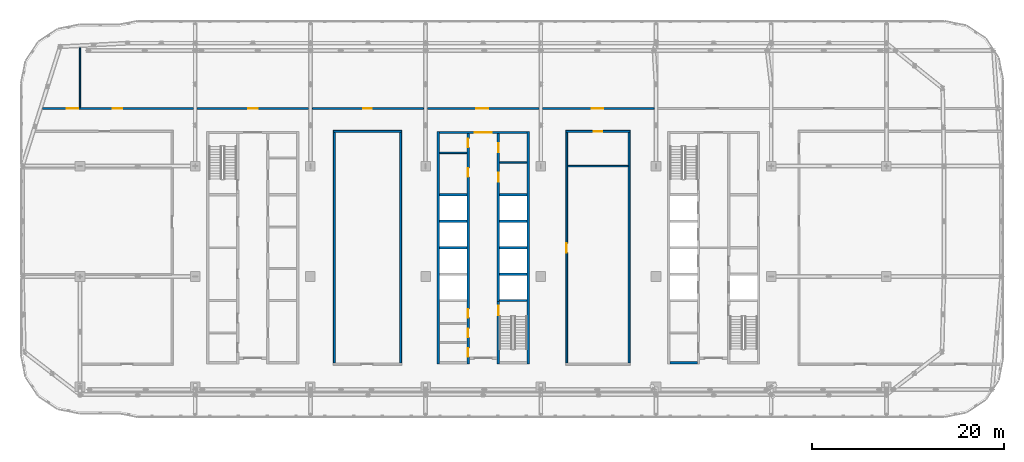
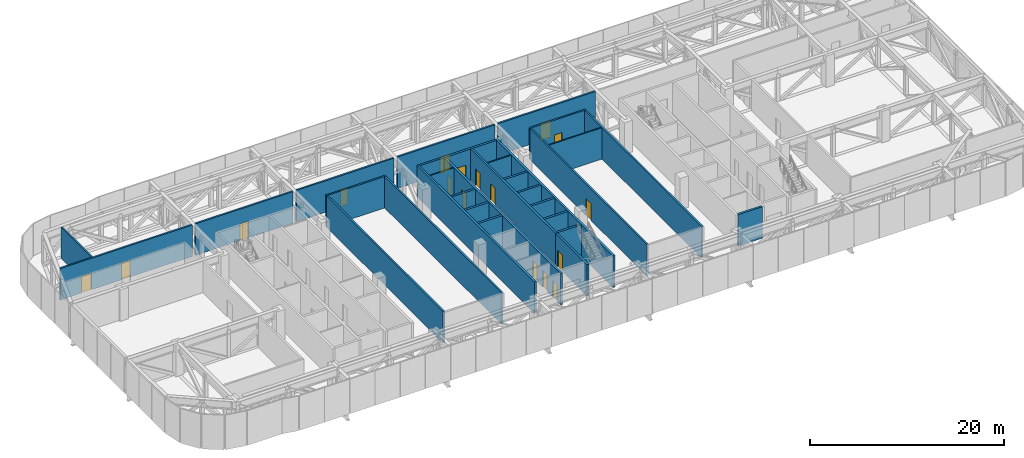
# One storey, part 14 of 29: 30 walls, 17 doors, 17 openings.
"""IFC4 building model written with IfcOpenShell, lengths in metres."""

from ifc_helpers import new_model, si_unit, direction, frame, frame_2d, origin, place, context, subcontext, project, spatial, rectangle, extrude, material, layer, layer_set, type_object, element, fill, save


model = new_model("IFC4")

# Units and contexts
model_context = context("Model", 3, precision=1e-05, world=origin(), true_north=direction((0.0, 1.0)))
body_context = subcontext(model_context, "Body", "Model", "MODEL_VIEW")
ifc_project = project(units=[si_unit("LENGTHUNIT", "METRE"), si_unit("AREAUNIT", "SQUARE_METRE"), si_unit("VOLUMEUNIT", "CUBIC_METRE"), si_unit("PLANEANGLEUNIT", "RADIAN"), si_unit("MASSUNIT", "GRAM", prefix="KILO")], contexts=[model_context])

# Site, building, storey
site_placement = place(None, origin())
site = spatial("IfcSite", under=ifc_project, at=site_placement, CompositionType="ELEMENT")
building_placement = place(site_placement, origin())
building = spatial("IfcBuilding", under=site, at=building_placement, Name="Mahtab Terrace Research Tower", CompositionType="ELEMENT")
storey_placement = place(building_placement, frame((0.0, 0.0, 259.0)))
storey = spatial("IfcBuildingStorey", under=building, at=storey_placement, Name="L63", CompositionType="ELEMENT", Elevation=259.0)

# Walls
ifc_material_1 = material(Name="Gypsum board partition")
ifc_layer_1 = layer(ifc_material_1, 0.14990234375)
ifc_layer_set_1 = layer_set([ifc_layer_1], Name="Core partition 150")
wall_type_1 = type_object("IfcWallType", Name="Core partition 150", PredefinedType="PARTITIONING", material=ifc_layer_set_1)
for number, where, z_axis, x_axis, name in (
    (1, (-4.550048828125, 12.875, 0.0), (0.0, 0.0, 1.0), (1.0, 0.0, 0.0), "Core wall B pWN988"),
    (2, (1.699951171875, 11.875, 0.0), (0.0, 0.0, 1.0), (1.0, 0.0, 0.0), "Core wall B pEN888"),
):
    element("IfcWall", number, at=place(storey_placement, frame(where, z_axis=z_axis, x_axis=x_axis)), inside=storey, type_object=wall_type_1, Name=name, PredefinedType="PARTITIONING", context=body_context, shape_type="SweptSolid", body=[
        extrude(rectangle(XDim=2.85009765625, YDim=0.14990234375, at=frame_2d((1.425048828125, 0.0))), origin(), (0.0, 0.0, 1.0), 3.9599609375),
    ])
ifc_material_2 = material(Name="Concrete C70/85", Category="concrete")
ifc_layer_2 = layer(ifc_material_2, 0.25)
ifc_layer_set_2 = layer_set([ifc_layer_2], Name="Core wall 250")
wall_type_2 = type_object("IfcWallType", Name="Core wall 250", PredefinedType="SOLIDWALL", material=ifc_layer_set_2)
for number, where, z_axis, x_axis, name in (
    (3, (-4.675048828125, 15.125, 0.0), (0.0, 0.0, 1.0), (0.0, -1.0, 0.0), "Core wall B outerW"),
    (4, (4.675048828125, -9.125, 0.0), (0.0, 0.0, 1.0), (0.0, 1.0, 0.0), "Core wall B outerE"),
):
    element("IfcWall", number, at=place(storey_placement, frame(where, z_axis=z_axis, x_axis=x_axis)), inside=storey, type_object=wall_type_2, Name=name, PredefinedType="SOLIDWALL", context=body_context, shape_type="SweptSolid", body=[
        extrude(rectangle(XDim=24.25, YDim=0.25, at=frame_2d((12.125, 0.0))), origin(), (0.0, 0.0, 1.0), 3.9599609375),
    ])

# Wall, opening, door
wall_1_placement = place(storey_placement, frame((-4.550048828125, 15.0, 0.0), z_axis=(0.0, 0.0, 1.0), x_axis=(1.0, 0.0, 0.0)))
wall_1 = element("IfcWall", 5, at=wall_1_placement, inside=storey, type_object=wall_type_2, Name="Core wall B endN", PredefinedType="SOLIDWALL", context=body_context, shape_type="SweptSolid", body=[
    extrude(rectangle(XDim=9.10009765625, YDim=0.25, at=frame_2d((4.550048828125, 0.0))), origin(), (0.0, 0.0, 1.0), 3.9599609375),
])
opening_1_placement = place(wall_1_placement, frame((3.64990234375, 0.0, 0.0)))
opening_1 = element("IfcOpeningElement", 6, at=opening_1_placement, cuts=wall_1, Name="Opening B-N1", PredefinedType="OPENING", context=body_context, shape_type="SweptSolid", body=[
    extrude(rectangle(XDim=1.800048828125, YDim=2.10009765625, at=frame_2d((0.89990234375, 1.050048828125))), frame((0.0, 0.135009765625, 0.0), z_axis=(0.0, -1.0, 0.0), x_axis=(1.0, 0.0, 0.0)), (0.0, 0.0, 1.0), 0.27001953125),
])
ifc_material_3 = material(Name="Steel fire door", Category="steel")
door_type_1 = type_object("IfcDoorType", Name="Lobby double door 1800x2100 1 HR", OperationType="DOUBLE_DOOR_SINGLE_SWING", PredefinedType="DOOR", material=ifc_material_3)
door_1_placement = place(opening_1_placement, origin())
door_1 = element("IfcDoor", 7, at=door_1_placement, inside=storey, type_object=door_type_1, Name="Core entrance door B N", OperationType="DOUBLE_DOOR_SINGLE_SWING", OverallHeight=2.10009765625, OverallWidth=1.800048828125, PredefinedType="DOOR", context=body_context, shape_type="SweptSolid", body=[
    extrude(rectangle(XDim=1.800048828125, YDim=2.10009765625, at=frame_2d((0.89990234375, 1.050048828125))), frame((0.0, 0.02490234375, 0.0), z_axis=(0.0, -1.0, 0.0), x_axis=(1.0, 0.0, 0.0)), (0.0, 0.0, 1.0), 0.050048828125),
])
fill(opening_1, door_1)

# Wall, openings, doors
wall_2_placement = place(storey_placement, frame((-1.574951171875, -9.125, 0.0), z_axis=(0.0, 0.0, 1.0), x_axis=(0.0, 1.0, 0.0)))
wall_2 = element("IfcWall", 8, at=wall_2_placement, inside=storey, type_object=wall_type_2, Name="Core wall B innerWSLN", PredefinedType="SOLIDWALL", context=body_context, shape_type="SweptSolid", body=[
    extrude(rectangle(XDim=24.0, YDim=0.25, at=frame_2d((12.0, 0.0))), origin(), (0.0, 0.0, 1.0), 3.9599609375),
])
opening_2_placement = place(wall_2_placement, frame((0.762451171875, 0.0, 0.0)))
opening_2 = element("IfcOpeningElement", 9, at=opening_2_placement, cuts=wall_2, Name="Opening B-R1", PredefinedType="OPENING", context=body_context, shape_type="SweptSolid", body=[
    extrude(rectangle(XDim=0.89990234375, YDim=2.10009765625, at=frame_2d((0.449951171875, 1.050048828125))), frame((0.0, 0.135009765625, 0.0), z_axis=(0.0, -1.0, 0.0), x_axis=(1.0, 0.0, 0.0)), (0.0, 0.0, 1.0), 0.27001953125),
])
opening_3_placement = place(wall_2_placement, frame((2.800048828125, 0.0, 0.0)))
opening_3 = element("IfcOpeningElement", 10, at=opening_3_placement, cuts=wall_2, Name="Opening B-R2", PredefinedType="OPENING", context=body_context, shape_type="SweptSolid", body=[
    extrude(rectangle(XDim=0.89990234375, YDim=2.10009765625, at=frame_2d((0.449951171875, 1.050048828125))), frame((0.0, 0.135009765625, 0.0), z_axis=(0.0, -1.0, 0.0), x_axis=(1.0, 0.0, 0.0)), (0.0, 0.0, 1.0), 0.27001953125),
])
opening_4_placement = place(wall_2_placement, frame((4.83740234375, 0.0, 0.0)))
opening_4 = element("IfcOpeningElement", 11, at=opening_4_placement, cuts=wall_2, Name="Opening B-R3", PredefinedType="OPENING", context=body_context, shape_type="SweptSolid", body=[
    extrude(rectangle(XDim=0.89990234375, YDim=2.10009765625, at=frame_2d((0.449951171875, 1.050048828125))), frame((0.0, 0.135009765625, 0.0), z_axis=(0.0, -1.0, 0.0), x_axis=(1.0, 0.0, 0.0)), (0.0, 0.0, 1.0), 0.27001953125),
])
opening_5_placement = place(wall_2_placement, frame((19.512451171875, 0.0, 0.0)))
opening_5 = element("IfcOpeningElement", 12, at=opening_5_placement, cuts=wall_2, Name="Opening B-R4", PredefinedType="OPENING", context=body_context, shape_type="SweptSolid", body=[
    extrude(rectangle(XDim=0.89990234375, YDim=2.10009765625, at=frame_2d((0.449951171875, 1.050048828125))), frame((0.0, 0.135009765625, 0.0), z_axis=(0.0, -1.0, 0.0), x_axis=(1.0, 0.0, 0.0)), (0.0, 0.0, 1.0), 0.27001953125),
])
opening_6_placement = place(wall_2_placement, frame((22.58740234375, 0.0, 0.0)))
opening_6 = element("IfcOpeningElement", 13, at=opening_6_placement, cuts=wall_2, Name="Opening B-R5", PredefinedType="OPENING", context=body_context, shape_type="SweptSolid", body=[
    extrude(rectangle(XDim=0.89990234375, YDim=2.10009765625, at=frame_2d((0.449951171875, 1.050048828125))), frame((0.0, 0.135009765625, 0.0), z_axis=(0.0, -1.0, 0.0), x_axis=(1.0, 0.0, 0.0)), (0.0, 0.0, 1.0), 0.27001953125),
])
door_type_2 = type_object("IfcDoorType", Name="Room door 900x2100 1 HR", OperationType="NOTDEFINED", PredefinedType="DOOR", material=ifc_material_3)
door_2_placement = place(opening_2_placement, origin())
door_2 = element("IfcDoor", 14, at=door_2_placement, inside=storey, type_object=door_type_2, Name="Comms riser room door", OperationType="SINGLE_SWING_LEFT", OverallHeight=2.10009765625, OverallWidth=0.89990234375, PredefinedType="DOOR", context=body_context, shape_type="SweptSolid", body=[
    extrude(rectangle(XDim=0.89990234375, YDim=2.10009765625, at=frame_2d((0.449951171875, 1.050048828125))), frame((0.0, 0.02490234375, 0.0), z_axis=(0.0, -1.0, 0.0), x_axis=(1.0, 0.0, 0.0)), (0.0, 0.0, 1.0), 0.050048828125),
])
fill(opening_2, door_2)
door_3_placement = place(opening_3_placement, origin())
door_3 = element("IfcDoor", 15, at=door_3_placement, inside=storey, type_object=door_type_2, Name="Pantry door", OperationType="SINGLE_SWING_RIGHT", OverallHeight=2.10009765625, OverallWidth=0.89990234375, PredefinedType="DOOR", context=body_context, shape_type="SweptSolid", body=[
    extrude(rectangle(XDim=0.89990234375, YDim=2.10009765625, at=frame_2d((0.449951171875, 1.050048828125))), frame((0.0, 0.02490234375, 0.0), z_axis=(0.0, -1.0, 0.0), x_axis=(1.0, 0.0, 0.0)), (0.0, 0.0, 1.0), 0.050048828125),
])
fill(opening_3, door_3)
door_4_placement = place(opening_4_placement, origin())
door_4 = element("IfcDoor", 16, at=door_4_placement, inside=storey, type_object=door_type_2, Name="Cleaners store door", OperationType="SINGLE_SWING_LEFT", OverallHeight=2.10009765625, OverallWidth=0.89990234375, PredefinedType="DOOR", context=body_context, shape_type="SweptSolid", body=[
    extrude(rectangle(XDim=0.89990234375, YDim=2.10009765625, at=frame_2d((0.449951171875, 1.050048828125))), frame((0.0, 0.02490234375, 0.0), z_axis=(0.0, -1.0, 0.0), x_axis=(1.0, 0.0, 0.0)), (0.0, 0.0, 1.0), 0.050048828125),
])
fill(opening_4, door_4)
door_5_placement = place(opening_5_placement, origin())
door_5 = element("IfcDoor", 17, at=door_5_placement, inside=storey, type_object=door_type_2, Name="IT equipment room door", OperationType="SINGLE_SWING_RIGHT", OverallHeight=2.10009765625, OverallWidth=0.89990234375, PredefinedType="DOOR", context=body_context, shape_type="SweptSolid", body=[
    extrude(rectangle(XDim=0.89990234375, YDim=2.10009765625, at=frame_2d((0.449951171875, 1.050048828125))), frame((0.0, 0.02490234375, 0.0), z_axis=(0.0, -1.0, 0.0), x_axis=(1.0, 0.0, 0.0)), (0.0, 0.0, 1.0), 0.050048828125),
])
fill(opening_5, door_5)
door_6_placement = place(opening_6_placement, origin())
door_6 = element("IfcDoor", 18, at=door_6_placement, inside=storey, type_object=door_type_2, Name="Electrical riser room door", OperationType="SINGLE_SWING_LEFT", OverallHeight=2.10009765625, OverallWidth=0.89990234375, PredefinedType="DOOR", context=body_context, shape_type="SweptSolid", body=[
    extrude(rectangle(XDim=0.89990234375, YDim=2.10009765625, at=frame_2d((0.449951171875, 1.050048828125))), frame((0.0, 0.02490234375, 0.0), z_axis=(0.0, -1.0, 0.0), x_axis=(1.0, 0.0, 0.0)), (0.0, 0.0, 1.0), 0.050048828125),
])
fill(opening_6, door_6)

# Wall, opening, door
wall_3_placement = place(storey_placement, frame((1.574951171875, -9.125, 0.0), z_axis=(0.0, 0.0, 1.0), x_axis=(0.0, 1.0, 0.0)))
wall_3 = element("IfcWall", 19, at=wall_3_placement, inside=storey, type_object=wall_type_2, Name="Core wall B innerES", PredefinedType="SOLIDWALL", context=body_context, shape_type="SweptSolid", body=[
    extrude(rectangle(XDim=6.5, YDim=0.25, at=frame_2d((3.25, 0.0))), origin(), (0.0, 0.0, 1.0), 3.9599609375),
])
opening_7_placement = place(wall_3_placement, frame((5.10009765625, 0.0, 0.0)))
opening_7 = element("IfcOpeningElement", 20, at=opening_7_placement, cuts=wall_3, Name="Opening B-ST2", PredefinedType="OPENING", context=body_context, shape_type="SweptSolid", body=[
    extrude(rectangle(XDim=1.0, YDim=2.10009765625, at=frame_2d((0.5, 1.050048828125))), frame((0.0, 0.135009765625, 0.0), z_axis=(0.0, -1.0, 0.0), x_axis=(1.0, 0.0, 0.0)), (0.0, 0.0, 1.0), 0.27001953125),
])
door_type_3 = type_object("IfcDoorType", Name="Stair door 1000x2100 1.5 HR", OperationType="NOTDEFINED", PredefinedType="DOOR", material=ifc_material_3)
door_7_placement = place(opening_7_placement, origin())
door_7 = element("IfcDoor", 21, at=door_7_placement, inside=storey, type_object=door_type_3, Name="Stair door ST2 L63", OperationType="SINGLE_SWING_RIGHT", OverallHeight=2.10009765625, OverallWidth=1.0, PredefinedType="DOOR", context=body_context, shape_type="SweptSolid", body=[
    extrude(rectangle(XDim=1.0, YDim=2.10009765625, at=frame_2d((0.5, 1.050048828125))), frame((0.0, 0.02490234375, 0.0), z_axis=(0.0, -1.0, 0.0), x_axis=(1.0, 0.0, 0.0)), (0.0, 0.0, 1.0), 0.050048828125),
])
fill(opening_7, door_7)

# Wall, openings, doors
wall_4_placement = place(storey_placement, frame((1.574951171875, 14.875, 0.0), z_axis=(0.0, 0.0, 1.0), x_axis=(0.0, -1.0, 0.0)))
wall_4 = element("IfcWall", 22, at=wall_4_placement, inside=storey, type_object=wall_type_2, Name="Core wall B innerELN", PredefinedType="SOLIDWALL", context=body_context, shape_type="SweptSolid", body=[
    extrude(rectangle(XDim=17.5, YDim=0.25, at=frame_2d((8.75, 0.0))), origin(), (0.0, 0.0, 1.0), 3.9599609375),
])
opening_8_placement = place(wall_4_placement, frame((4.08740234375, 0.0, 0.0)))
opening_8 = element("IfcOpeningElement", 23, at=opening_8_placement, cuts=wall_4, Name="Opening B-R6", PredefinedType="OPENING", context=body_context, shape_type="SweptSolid", body=[
    extrude(rectangle(XDim=0.89990234375, YDim=2.10009765625, at=frame_2d((0.449951171875, 1.050048828125))), frame((0.0, 0.135009765625, 0.0), z_axis=(0.0, -1.0, 0.0), x_axis=(1.0, 0.0, 0.0)), (0.0, 0.0, 1.0), 0.27001953125),
])
opening_9_placement = place(wall_4_placement, frame((1.012451171875, 0.0, 0.0)))
opening_9 = element("IfcOpeningElement", 24, at=opening_9_placement, cuts=wall_4, Name="Opening B-R7", PredefinedType="OPENING", context=body_context, shape_type="SweptSolid", body=[
    extrude(rectangle(XDim=0.89990234375, YDim=2.10009765625, at=frame_2d((0.449951171875, 1.050048828125))), frame((0.0, 0.135009765625, 0.0), z_axis=(0.0, -1.0, 0.0), x_axis=(1.0, 0.0, 0.0)), (0.0, 0.0, 1.0), 0.27001953125),
])
door_8_placement = place(opening_8_placement, origin())
door_8 = element("IfcDoor", 25, at=door_8_placement, inside=storey, type_object=door_type_2, Name="Staff WC door", OperationType="SINGLE_SWING_RIGHT", OverallHeight=2.10009765625, OverallWidth=0.89990234375, PredefinedType="DOOR", context=body_context, shape_type="SweptSolid", body=[
    extrude(rectangle(XDim=0.89990234375, YDim=2.10009765625, at=frame_2d((0.449951171875, 1.050048828125))), frame((0.0, 0.02490234375, 0.0), z_axis=(0.0, -1.0, 0.0), x_axis=(1.0, 0.0, 0.0)), (0.0, 0.0, 1.0), 0.050048828125),
])
fill(opening_8, door_8)
door_9_placement = place(opening_9_placement, origin())
door_9 = element("IfcDoor", 26, at=door_9_placement, inside=storey, type_object=door_type_2, Name="Accessible WC door", OperationType="SINGLE_SWING_LEFT", OverallHeight=2.10009765625, OverallWidth=0.89990234375, PredefinedType="DOOR", context=body_context, shape_type="SweptSolid", body=[
    extrude(rectangle(XDim=0.89990234375, YDim=2.10009765625, at=frame_2d((0.449951171875, 1.050048828125))), frame((0.0, 0.02490234375, 0.0), z_axis=(0.0, -1.0, 0.0), x_axis=(1.0, 0.0, 0.0)), (0.0, 0.0, 1.0), 0.050048828125),
])
fill(opening_9, door_9)

# Walls
for number, where, z_axis, x_axis, name in (
    (27, (-4.550048828125, 3.0, 0.0), (0.0, 0.0, 1.0), (1.0, 0.0, 0.0), "Core wall B divW2"),
    (28, (-4.550048828125, 5.75, 0.0), (0.0, 0.0, 1.0), (1.0, 0.0, 0.0), "Core wall B divW3"),
    (29, (-4.550048828125, 8.5, 0.0), (0.0, 0.0, 1.0), (1.0, 0.0, 0.0), "Core wall B divW4"),
    (30, (1.699951171875, -2.5, 0.0), (0.0, 0.0, 1.0), (1.0, 0.0, 0.0), "Core wall B divE0"),
    (31, (1.699951171875, 0.25, 0.0), (0.0, 0.0, 1.0), (1.0, 0.0, 0.0), "Core wall B divE1"),
    (32, (1.699951171875, 3.0, 0.0), (0.0, 0.0, 1.0), (1.0, 0.0, 0.0), "Core wall B divE2"),
    (33, (1.699951171875, 5.75, 0.0), (0.0, 0.0, 1.0), (1.0, 0.0, 0.0), "Core wall B divE3"),
    (34, (1.699951171875, 8.5, 0.0), (0.0, 0.0, 1.0), (1.0, 0.0, 0.0), "Core wall B divE4"),
    (35, (22.300048828125, -9.0, 0.0), (0.0, 0.0, 1.0), (-1.0, 0.0, 0.0), "Core wall C endSW"),
):
    element("IfcWall", number, at=place(storey_placement, frame(where, z_axis=z_axis, x_axis=x_axis)), inside=storey, type_object=wall_type_2, Name=name, PredefinedType="SOLIDWALL", context=body_context, shape_type="SweptSolid", body=[
        extrude(rectangle(XDim=2.85009765625, YDim=0.25, at=frame_2d((1.425048828125, 0.0))), origin(), (0.0, 0.0, 1.0), 3.9599609375),
    ])
ifc_material_4 = material(Name="Gypsum board corridor wall on steel studs", Category="steel")
ifc_layer_3 = layer(ifc_material_4, 0.199951171875)
ifc_layer_set_3 = layer_set([ifc_layer_3], Name="WALL CORRIDOR 200")
wall_type_3 = type_object("IfcWallType", Name="WALL CORRIDOR 200", PredefinedType="PARTITIONING", material=ifc_layer_set_3)
wall_5_placement = place(storey_placement, frame((-15.60009765625, 15.125, 0.0), z_axis=(0.0, 0.0, 1.0), x_axis=(1.0, 0.0, 0.0)))
element("IfcWall", 36, at=wall_5_placement, inside=storey, type_object=wall_type_3, Name="L63-W012", PredefinedType="PARTITIONING", context=body_context, shape_type="SweptSolid", body=[
    extrude(rectangle(XDim=7.10009765625, YDim=0.199951171875, at=frame_2d((3.550048828125, 0.0))), origin(), (0.0, 0.0, 1.0), 3.9599609375),
])

# Wall, opening, door
wall_6_placement = place(storey_placement, frame((8.60009765625, 15.125, 0.0), z_axis=(0.0, 0.0, 1.0), x_axis=(1.0, 0.0, 0.0)))
wall_6 = element("IfcWall", 37, at=wall_6_placement, inside=storey, type_object=wall_type_3, Name="L63-W013", PredefinedType="PARTITIONING", context=body_context, shape_type="SweptSolid", body=[
    extrude(rectangle(XDim=6.699951171875, YDim=0.199951171875, at=frame_2d((3.35009765625, 0.0))), origin(), (0.0, 0.0, 1.0), 3.9599609375),
])
opening_10_placement = place(wall_6_placement, frame((2.89990234375, 0.0, 0.0)))
opening_10 = element("IfcOpeningElement", 38, at=opening_10_placement, cuts=wall_6, Name="Opening L63-109", PredefinedType="OPENING", context=body_context, shape_type="SweptSolid", body=[
    extrude(rectangle(XDim=0.89990234375, YDim=2.10009765625, at=frame_2d((0.449951171875, 1.050048828125))), frame((0.0, 0.10986328125, 0.0), z_axis=(0.0, -1.0, 0.0), x_axis=(1.0, 0.0, 0.0)), (0.0, 0.0, 1.0), 0.219970703125),
])
ifc_material_5 = material(Name="Timber door leaf in steel frame", Category="steel")
door_type_4 = type_object("IfcDoorType", Name="DOOR 0900X2100 FD30S", OperationType="SINGLE_SWING_LEFT", PredefinedType="DOOR", material=ifc_material_5)
door_10_placement = place(opening_10_placement, origin())
door_10 = element("IfcDoor", 39, at=door_10_placement, inside=storey, type_object=door_type_4, Name="Door L63-109", OperationType="SINGLE_SWING_RIGHT", OverallHeight=2.10009765625, OverallWidth=0.89990234375, PredefinedType="DOOR", context=body_context, shape_type="SweptSolid", body=[
    extrude(rectangle(XDim=0.89990234375, YDim=2.10009765625, at=frame_2d((0.449951171875, 1.050048828125))), frame((0.0, 0.02490234375, 0.0), z_axis=(0.0, -1.0, 0.0), x_axis=(1.0, 0.0, 0.0)), (0.0, 0.0, 1.0), 0.050048828125),
])
fill(opening_10, door_10)

# Wall, openings, doors
wall_7_placement = place(storey_placement, frame((-45.895263671875, 17.5, 0.0), z_axis=(0.0, 0.0, 1.0), x_axis=(1.0, 0.0, 0.0)))
wall_7 = element("IfcWall", 40, at=wall_7_placement, inside=storey, type_object=wall_type_3, Name="L63-W017", PredefinedType="PARTITIONING", context=body_context, shape_type="SweptSolid", body=[
    extrude(rectangle(XDim=15.6953125, YDim=0.199951171875, at=frame_2d((7.84765625, 0.0))), origin(), (0.0, 0.0, 1.0), 3.9599609375),
])
opening_11_placement = place(wall_7_placement, frame((2.5, 0.0, 0.0)))
opening_11 = element("IfcOpeningElement", 41, at=opening_11_placement, cuts=wall_7, Name="Opening L63-113", PredefinedType="OPENING", context=body_context, shape_type="SweptSolid", body=[
    extrude(rectangle(XDim=1.199951171875, YDim=2.10009765625, at=frame_2d((0.60009765625, 1.050048828125))), frame((0.0, 0.10986328125, 0.0), z_axis=(0.0, -1.0, 0.0), x_axis=(1.0, 0.0, 0.0)), (0.0, 0.0, 1.0), 0.219970703125),
])
opening_12_placement = place(wall_7_placement, frame((7.300048828125, 0.0, 0.0)))
opening_12 = element("IfcOpeningElement", 42, at=opening_12_placement, cuts=wall_7, Name="Opening L63-114", PredefinedType="OPENING", context=body_context, shape_type="SweptSolid", body=[
    extrude(rectangle(XDim=1.0, YDim=2.10009765625, at=frame_2d((0.5, 1.050048828125))), frame((0.0, 0.10986328125, 0.0), z_axis=(0.0, -1.0, 0.0), x_axis=(1.0, 0.0, 0.0)), (0.0, 0.0, 1.0), 0.219970703125),
])
door_type_5 = type_object("IfcDoorType", Name="DOOR 1000X2100 FD30S", OperationType="SINGLE_SWING_LEFT", PredefinedType="DOOR", material=ifc_material_5)
door_11_placement = place(opening_12_placement, origin())
door_11 = element("IfcDoor", 43, at=door_11_placement, inside=storey, type_object=door_type_5, Name="Door L63-114", OperationType="SINGLE_SWING_LEFT", OverallHeight=2.10009765625, OverallWidth=1.0, PredefinedType="DOOR", context=body_context, shape_type="SweptSolid", body=[
    extrude(rectangle(XDim=1.0, YDim=2.10009765625, at=frame_2d((0.5, 1.050048828125))), frame((0.0, 0.02490234375, 0.0), z_axis=(0.0, -1.0, 0.0), x_axis=(1.0, 0.0, 0.0)), (0.0, 0.0, 1.0), 0.050048828125),
])
fill(opening_12, door_11)
door_type_6 = type_object("IfcDoorType", Name="DOOR 1200X2100 FD30S", OperationType="SINGLE_SWING_LEFT", PredefinedType="DOOR", material=ifc_material_5)
door_12_placement = place(opening_11_placement, origin())
door_12 = element("IfcDoor", 44, at=door_12_placement, inside=storey, type_object=door_type_6, Name="Door L63-113", OperationType="SINGLE_SWING_LEFT", OverallHeight=2.10009765625, OverallWidth=1.199951171875, PredefinedType="DOOR", context=body_context, shape_type="SweptSolid", body=[
    extrude(rectangle(XDim=1.199951171875, YDim=2.10009765625, at=frame_2d((0.60009765625, 1.050048828125))), frame((0.0, 0.02490234375, 0.0), z_axis=(0.0, -1.0, 0.0), x_axis=(1.0, 0.0, 0.0)), (0.0, 0.0, 1.0), 0.050048828125),
])
fill(opening_11, door_12)

# Wall, opening, door
wall_8_placement = place(storey_placement, frame((-29.800048828125, 17.5, 0.0), z_axis=(0.0, 0.0, 1.0), x_axis=(1.0, 0.0, 0.0)))
wall_8 = element("IfcWall", 45, at=wall_8_placement, inside=storey, type_object=wall_type_3, Name="L63-W018", PredefinedType="PARTITIONING", context=body_context, shape_type="SweptSolid", body=[
    extrude(rectangle(XDim=11.60009765625, YDim=0.199951171875, at=frame_2d((5.800048828125, 0.0))), origin(), (0.0, 0.0, 1.0), 3.9599609375),
])
opening_13_placement = place(wall_8_placement, frame((5.300048828125, 0.0, 0.0)))
opening_13 = element("IfcOpeningElement", 46, at=opening_13_placement, cuts=wall_8, Name="Opening L63-115", PredefinedType="OPENING", context=body_context, shape_type="SweptSolid", body=[
    extrude(rectangle(XDim=1.0, YDim=2.10009765625, at=frame_2d((0.5, 1.050048828125))), frame((0.0, 0.10986328125, 0.0), z_axis=(0.0, -1.0, 0.0), x_axis=(1.0, 0.0, 0.0)), (0.0, 0.0, 1.0), 0.219970703125),
])
door_13_placement = place(opening_13_placement, origin())
door_13 = element("IfcDoor", 47, at=door_13_placement, inside=storey, type_object=door_type_5, Name="Door L63-115", OperationType="SINGLE_SWING_LEFT", OverallHeight=2.10009765625, OverallWidth=1.0, PredefinedType="DOOR", context=body_context, shape_type="SweptSolid", body=[
    extrude(rectangle(XDim=1.0, YDim=2.10009765625, at=frame_2d((0.5, 1.050048828125))), frame((0.0, 0.02490234375, 0.0), z_axis=(0.0, -1.0, 0.0), x_axis=(1.0, 0.0, 0.0)), (0.0, 0.0, 1.0), 0.050048828125),
])
fill(opening_13, door_13)

wall_9_placement = place(storey_placement, frame((-17.800048828125, 17.5, 0.0), z_axis=(0.0, 0.0, 1.0), x_axis=(1.0, 0.0, 0.0)))
wall_9 = element("IfcWall", 48, at=wall_9_placement, inside=storey, type_object=wall_type_3, Name="L63-W019", PredefinedType="PARTITIONING", context=body_context, shape_type="SweptSolid", body=[
    extrude(rectangle(XDim=11.60009765625, YDim=0.199951171875, at=frame_2d((5.800048828125, 0.0))), origin(), (0.0, 0.0, 1.0), 3.9599609375),
])
opening_14_placement = place(wall_9_placement, frame((5.300048828125, 0.0, 0.0)))
opening_14 = element("IfcOpeningElement", 49, at=opening_14_placement, cuts=wall_9, Name="Opening L63-116", PredefinedType="OPENING", context=body_context, shape_type="SweptSolid", body=[
    extrude(rectangle(XDim=0.89990234375, YDim=2.10009765625, at=frame_2d((0.449951171875, 1.050048828125))), frame((0.0, 0.10986328125, 0.0), z_axis=(0.0, -1.0, 0.0), x_axis=(1.0, 0.0, 0.0)), (0.0, 0.0, 1.0), 0.219970703125),
])
door_14_placement = place(opening_14_placement, origin())
door_14 = element("IfcDoor", 50, at=door_14_placement, inside=storey, type_object=door_type_4, Name="Door L63-116", OperationType="SINGLE_SWING_LEFT", OverallHeight=2.10009765625, OverallWidth=0.89990234375, PredefinedType="DOOR", context=body_context, shape_type="SweptSolid", body=[
    extrude(rectangle(XDim=0.89990234375, YDim=2.10009765625, at=frame_2d((0.449951171875, 1.050048828125))), frame((0.0, 0.02490234375, 0.0), z_axis=(0.0, -1.0, 0.0), x_axis=(1.0, 0.0, 0.0)), (0.0, 0.0, 1.0), 0.050048828125),
])
fill(opening_14, door_14)

wall_10_placement = place(storey_placement, frame((-5.800048828125, 17.5, 0.0), z_axis=(0.0, 0.0, 1.0), x_axis=(1.0, 0.0, 0.0)))
wall_10 = element("IfcWall", 51, at=wall_10_placement, inside=storey, type_object=wall_type_3, Name="L63-W020", PredefinedType="PARTITIONING", context=body_context, shape_type="SweptSolid", body=[
    extrude(rectangle(XDim=11.60009765625, YDim=0.199951171875, at=frame_2d((5.800048828125, 0.0))), origin(), (0.0, 0.0, 1.0), 3.9599609375),
])
opening_15_placement = place(wall_10_placement, frame((5.10009765625, 0.0, 0.0)))
opening_15 = element("IfcOpeningElement", 52, at=opening_15_placement, cuts=wall_10, Name="Opening L63-117", PredefinedType="OPENING", context=body_context, shape_type="SweptSolid", body=[
    extrude(rectangle(XDim=1.199951171875, YDim=2.10009765625, at=frame_2d((0.60009765625, 1.050048828125))), frame((0.0, 0.10986328125, 0.0), z_axis=(0.0, -1.0, 0.0), x_axis=(1.0, 0.0, 0.0)), (0.0, 0.0, 1.0), 0.219970703125),
])
door_15_placement = place(opening_15_placement, origin())
door_15 = element("IfcDoor", 53, at=door_15_placement, inside=storey, type_object=door_type_6, Name="Door L63-117", OperationType="SINGLE_SWING_LEFT", OverallHeight=2.10009765625, OverallWidth=1.199951171875, PredefinedType="DOOR", context=body_context, shape_type="SweptSolid", body=[
    extrude(rectangle(XDim=1.199951171875, YDim=2.10009765625, at=frame_2d((0.60009765625, 1.050048828125))), frame((0.0, 0.02490234375, 0.0), z_axis=(0.0, -1.0, 0.0), x_axis=(1.0, 0.0, 0.0)), (0.0, 0.0, 1.0), 0.050048828125),
])
fill(opening_15, door_15)

wall_11_placement = place(storey_placement, frame((6.199951171875, 17.5, 0.0), z_axis=(0.0, 0.0, 1.0), x_axis=(1.0, 0.0, 0.0)))
wall_11 = element("IfcWall", 54, at=wall_11_placement, inside=storey, type_object=wall_type_3, Name="L63-W021", PredefinedType="PARTITIONING", context=body_context, shape_type="SweptSolid", body=[
    extrude(rectangle(XDim=11.60009765625, YDim=0.199951171875, at=frame_2d((5.800048828125, 0.0))), origin(), (0.0, 0.0, 1.0), 3.9599609375),
])
opening_16_placement = place(wall_11_placement, frame((5.10009765625, 0.0, 0.0)))
opening_16 = element("IfcOpeningElement", 55, at=opening_16_placement, cuts=wall_11, Name="Opening L63-118", PredefinedType="OPENING", context=body_context, shape_type="SweptSolid", body=[
    extrude(rectangle(XDim=1.199951171875, YDim=2.10009765625, at=frame_2d((0.60009765625, 1.050048828125))), frame((0.0, 0.10986328125, 0.0), z_axis=(0.0, -1.0, 0.0), x_axis=(1.0, 0.0, 0.0)), (0.0, 0.0, 1.0), 0.219970703125),
])
door_16_placement = place(opening_16_placement, origin())
door_16 = element("IfcDoor", 56, at=door_16_placement, inside=storey, type_object=door_type_6, Name="Door L63-118", OperationType="SINGLE_SWING_LEFT", OverallHeight=2.10009765625, OverallWidth=1.199951171875, PredefinedType="DOOR", context=body_context, shape_type="SweptSolid", body=[
    extrude(rectangle(XDim=1.199951171875, YDim=2.10009765625, at=frame_2d((0.60009765625, 1.050048828125))), frame((0.0, 0.02490234375, 0.0), z_axis=(0.0, -1.0, 0.0), x_axis=(1.0, 0.0, 0.0)), (0.0, 0.0, 1.0), 0.050048828125),
])
fill(opening_16, door_16)

# Walls
for number, where, z_axis, x_axis, name in (
    (57, (-15.5, -9.02490234375, 0.0), (0.0, 0.0, 1.0), (0.0, 1.0, 0.0), "L63-W029"),
    (58, (-8.60009765625, -9.02490234375, 0.0), (0.0, 0.0, 1.0), (0.0, 1.0, 0.0), "L63-W030"),
):
    element("IfcWall", number, at=place(storey_placement, frame(where, z_axis=z_axis, x_axis=x_axis)), inside=storey, type_object=wall_type_3, Name=name, PredefinedType="PARTITIONING", context=body_context, shape_type="SweptSolid", body=[
        extrude(rectangle(XDim=24.0498046875, YDim=0.199951171875, at=frame_2d((12.02490234375, 0.0))), origin(), (0.0, 0.0, 1.0), 3.9599609375),
    ])

# Wall, opening, door
wall_12_placement = place(storey_placement, frame((8.699951171875, -9.02490234375, 0.0), z_axis=(0.0, 0.0, 1.0), x_axis=(0.0, 1.0, 0.0)))
wall_12 = element("IfcWall", 59, at=wall_12_placement, inside=storey, type_object=wall_type_3, Name="L63-W031", PredefinedType="PARTITIONING", context=body_context, shape_type="SweptSolid", body=[
    extrude(rectangle(XDim=24.0498046875, YDim=0.199951171875, at=frame_2d((12.02490234375, 0.0))), origin(), (0.0, 0.0, 1.0), 3.9599609375),
])
opening_17_placement = place(wall_12_placement, frame((11.5, 0.0, 0.0)))
opening_17 = element("IfcOpeningElement", 60, at=opening_17_placement, cuts=wall_12, Name="Opening L63-106", PredefinedType="OPENING", context=body_context, shape_type="SweptSolid", body=[
    extrude(rectangle(XDim=1.0, YDim=2.10009765625, at=frame_2d((0.5, 1.050048828125))), frame((0.0, 0.10986328125, 0.0), z_axis=(0.0, -1.0, 0.0), x_axis=(1.0, 0.0, 0.0)), (0.0, 0.0, 1.0), 0.219970703125),
])
door_17_placement = place(opening_17_placement, origin())
door_17 = element("IfcDoor", 61, at=door_17_placement, inside=storey, type_object=door_type_5, Name="Door L63-106", OperationType="SINGLE_SWING_RIGHT", OverallHeight=2.10009765625, OverallWidth=1.0, PredefinedType="DOOR", context=body_context, shape_type="SweptSolid", body=[
    extrude(rectangle(XDim=1.0, YDim=2.10009765625, at=frame_2d((0.5, 1.050048828125))), frame((0.0, 0.02490234375, 0.0), z_axis=(0.0, -1.0, 0.0), x_axis=(1.0, 0.0, 0.0)), (0.0, 0.0, 1.0), 0.050048828125),
])
fill(opening_17, door_17)

# Walls
wall_13_placement = place(storey_placement, frame((15.199951171875, -9.02490234375, 0.0), z_axis=(0.0, 0.0, 1.0), x_axis=(0.0, 1.0, 0.0)))
element("IfcWall", 62, at=wall_13_placement, inside=storey, type_object=wall_type_3, Name="L63-W032", PredefinedType="PARTITIONING", context=body_context, shape_type="SweptSolid", body=[
    extrude(rectangle(XDim=24.0498046875, YDim=0.199951171875, at=frame_2d((12.02490234375, 0.0))), origin(), (0.0, 0.0, 1.0), 3.9599609375),
])
ifc_material_6 = material(Name="Gypsum board partition on steel studs", Category="steel")
ifc_layer_4 = layer(ifc_material_6, 0.14990234375)
ifc_layer_set_4 = layer_set([ifc_layer_4], Name="WALL PARTITION 150")
wall_type_4 = type_object("IfcWallType", Name="WALL PARTITION 150", PredefinedType="PARTITIONING", material=ifc_layer_set_4)
wall_14_placement = place(storey_placement, frame((8.800048828125, 11.5, 0.0), z_axis=(0.0, 0.0, 1.0), x_axis=(1.0, 0.0, 0.0)))
element("IfcWall", 63, at=wall_14_placement, inside=storey, type_object=wall_type_4, Name="L63-W010", PredefinedType="PARTITIONING", context=body_context, shape_type="SweptSolid", body=[
    extrude(rectangle(XDim=6.300048828125, YDim=0.14990234375, at=frame_2d((3.14990234375, 0.0))), origin(), (0.0, 0.0, 1.0), 3.9599609375),
])
wall_15_placement = place(storey_placement, frame((-42.0, 17.60009765625, 0.0), z_axis=(0.0, 0.0, 1.0), x_axis=(0.0, 1.0, 0.0)))
element("IfcWall", 64, at=wall_15_placement, inside=storey, type_object=wall_type_4, Name="L63-W025", PredefinedType="PARTITIONING", context=body_context, shape_type="SweptSolid", body=[
    extrude(rectangle(XDim=6.245849609375, YDim=0.14990234375, at=frame_2d((3.123046875, 0.0))), origin(), (0.0, 0.0, 1.0), 3.9599609375),
])

save(model, "model.ifc")
